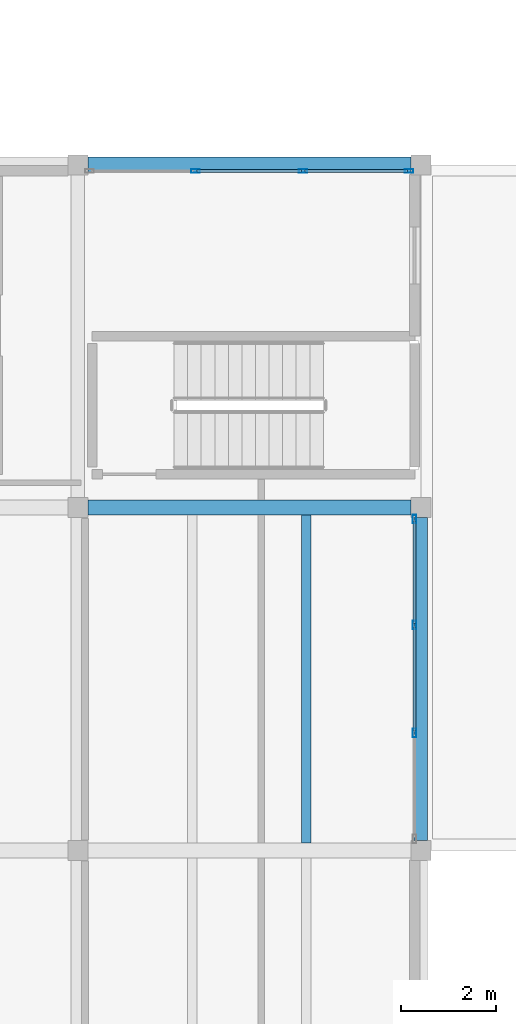
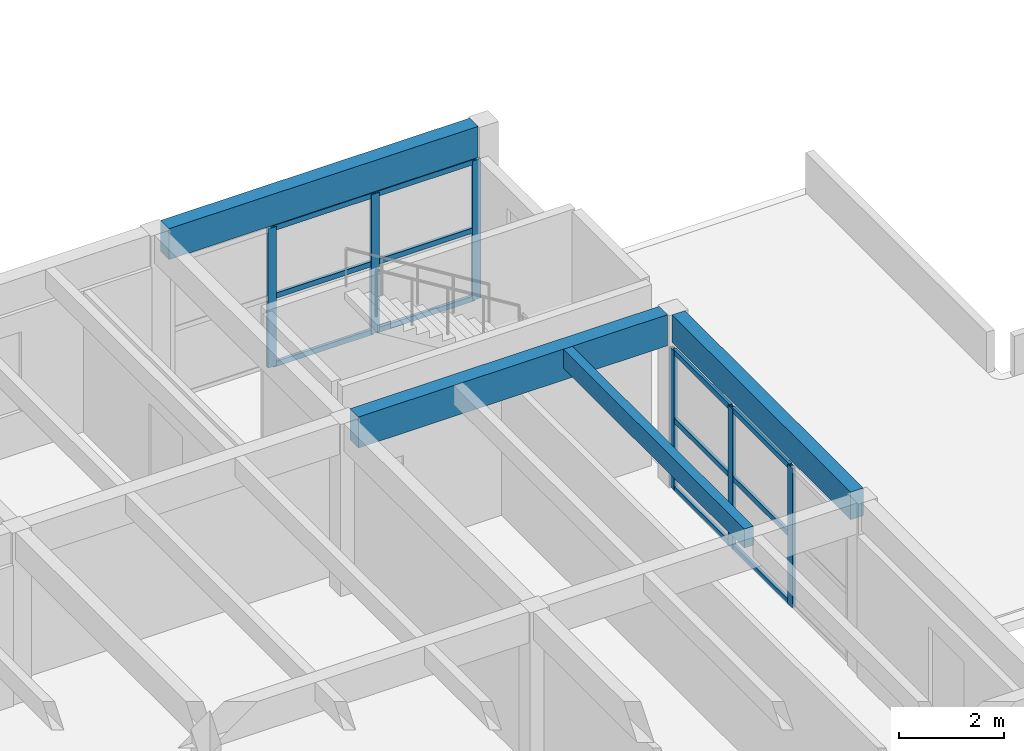
# One storey, part 16 of 68: 18 members, 4 beams, 2 elements without a shape of their own.
"""IFC4 building model written with IfcOpenShell, lengths in metres."""

from ifc_helpers import new_model, si_unit, direction, frame, origin, origin_2d, place, context, subcontext, project, spatial, rectangle, hollow_rectangle, extrude, material, material_profile, profile_set, type_object, element, aggregate, save


model = new_model("IFC4")

# Units and contexts
model_context = context("Model", 3, precision=1e-05, world=origin(), true_north=direction((0.0, 1.0)))
body_context = subcontext(model_context, "Body", "Model", "MODEL_VIEW")
ifc_project = project(units=[si_unit("LENGTHUNIT", "METRE"), si_unit("AREAUNIT", "SQUARE_METRE"), si_unit("VOLUMEUNIT", "CUBIC_METRE"), si_unit("PLANEANGLEUNIT", "RADIAN"), si_unit("MASSUNIT", "GRAM", prefix="KILO")], contexts=[model_context])

# Site, building, storey
site_placement = place(None, origin())
site = spatial("IfcSite", under=ifc_project, at=site_placement, CompositionType="ELEMENT")
building_placement = place(site_placement, origin())
building = spatial("IfcBuilding", under=site, at=building_placement, Name="Bramvelor Terrace Health Centre", CompositionType="ELEMENT")
storey_placement = place(building_placement, frame((0.0, 0.0, 9.300048828125)))
storey = spatial("IfcBuildingStorey", under=building, at=storey_placement, Name="L03", CompositionType="ELEMENT", Elevation=9.300048828125)

# Beams
ifc_material_1 = material(Name="Glulam GL28h", Category="wood")
ifc_material_profile_1 = material_profile(ifc_material_1, rectangle(XDim=0.280029296875, YDim=0.639892578125, at=origin_2d()), Name="GL 280x640")
ifc_profile_set_1 = profile_set([ifc_material_profile_1], Name="Glulam GL28h")
beam_type_1 = type_object("IfcBeamType", Name="BM-GL-G640", PredefinedType="BEAM", material=ifc_profile_set_1)
beam_1_placement = place(storey_placement, frame((21.60009765625, 50.610107421875, 3.669921875), z_axis=(0.0, 1.0, 0.0), x_axis=(-1.0, 0.0, 0.0)))
element("IfcBeam", 1, at=beam_1_placement, inside=storey, type_object=beam_type_1, Name="L03 Floor Girder", PredefinedType="BEAM", context=body_context, shape_type="SweptSolid", body=[
    extrude(rectangle(XDim=0.280029296875, YDim=0.639892578125, at=origin_2d()), origin(), (0.0, 0.0, 1.0), 6.77978515625),
])
ifc_material_2 = material(Name="Glulam GL28h", Category="wood")
ifc_material_profile_2 = material_profile(ifc_material_2, rectangle(XDim=0.320068359375, YDim=0.719970703125, at=origin_2d()), Name="GL 320x720")
ifc_profile_set_2 = profile_set([ifc_material_profile_2], Name="Glulam GL28h")
beam_type_2 = type_object("IfcBeamType", Name="BM-GL-G720", PredefinedType="BEAM", material=ifc_profile_set_2)
for number, where, z_axis, x_axis, name in (
    (2, (14.610107421875, 57.60009765625, 3.6298828125), (1.0, 0.0, 0.0), (0.0, 1.0, 0.0), "L03 Floor Girder"),
    (3, (14.610107421875, 64.800048828125, 3.6298828125), (1.0, 0.0, 0.0), (0.0, 1.0, 0.0), "L03 Floor Girder"),
):
    element("IfcBeam", number, at=place(storey_placement, frame(where, z_axis=z_axis, x_axis=x_axis)), inside=storey, type_object=beam_type_2, Name=name, PredefinedType="BEAM", context=body_context, shape_type="SweptSolid", body=[
        extrude(rectangle(XDim=0.320068359375, YDim=0.719970703125, at=origin_2d()), origin(), (0.0, 0.0, 1.0), 6.77978515625),
    ])
ifc_material_3 = material(Name="Glulam GL28h", Category="wood")
ifc_material_profile_3 = material_profile(ifc_material_3, rectangle(XDim=0.199951171875, YDim=0.43994140625, at=origin_2d()), Name="GL 200x440")
ifc_profile_set_3 = profile_set([ifc_material_profile_3], Name="Glulam GL28h")
beam_type_3 = type_object("IfcBeamType", Name="BM-GL-J440", PredefinedType="JOIST", material=ifc_profile_set_3)
beam_2_placement = place(storey_placement, frame((19.199951171875, 50.56005859375, 3.77001953125), z_axis=(0.0, 1.0, 0.0), x_axis=(-1.0, 0.0, 0.0)))
element("IfcBeam", 4, at=beam_2_placement, inside=storey, type_object=beam_type_3, Name="L03 Secondary Floor Joist", PredefinedType="JOIST", context=body_context, shape_type="SweptSolid", body=[
    extrude(rectangle(XDim=0.199951171875, YDim=0.43994140625, at=origin_2d()), origin(), (0.0, 0.0, 1.0), 6.8798828125),
])

# Curtain wall, members
ifc_material_4 = material(Name="Anodized aluminium and double low-E glass", Category="aluminium")
curtain_wall_type = type_object("IfcCurtainWallType", Name="CW-SYS-27", PredefinedType="NOTDEFINED", material=ifc_material_4)
curtain_wall_1_placement = place(storey_placement, origin())
curtain_wall_1 = element("IfcCurtainWall", 5, at=curtain_wall_1_placement, inside=storey, type_object=curtain_wall_type, Name="L03 Unitized Curtain Wall 153", PredefinedType="NOTDEFINED")
ifc_material_5 = material(Name="Anodized aluminium 6063-T6", Category="aluminium")
ifc_material_profile_4 = material_profile(ifc_material_5, hollow_rectangle(XDim=0.074951171875, YDim=0.179931640625, WallThickness=0.00341796875, at=origin_2d()), Name="ALU-MUL 75x180x3.5")
ifc_profile_set_4 = profile_set([ifc_material_profile_4], Name="Anodized aluminium 6063-T6")
member_type_1 = type_object("IfcMemberType", Name="CW-MUL-65x180", PredefinedType="MULLION", material=ifc_profile_set_4)
member_1_placement = place(storey_placement, frame((16.868408203125, 64.669921875, 0.0), z_axis=(0.0, 0.0, 1.0), x_axis=(0.0, 1.0, 0.0)))
member_1 = element("IfcMember", 6, at=member_1_placement, type_object=member_type_1, Name="CW-27 mullion 2", PredefinedType="MULLION", context=body_context, shape_type="SweptSolid", body=[
    extrude(hollow_rectangle(XDim=0.074951171875, YDim=0.179931640625, WallThickness=0.00341796875, at=origin_2d()), origin(), (0.0, 0.0, 1.0), 3.22998046875),
])
member_2_placement = place(storey_placement, frame((19.131591796875, 64.669921875, 0.0), z_axis=(0.0, 0.0, 1.0), x_axis=(0.0, 1.0, 0.0)))
member_2 = element("IfcMember", 7, at=member_2_placement, type_object=member_type_1, Name="CW-27 mullion 3", PredefinedType="MULLION", context=body_context, shape_type="SweptSolid", body=[
    extrude(hollow_rectangle(XDim=0.074951171875, YDim=0.179931640625, WallThickness=0.00341796875, at=origin_2d()), origin(), (0.0, 0.0, 1.0), 3.22998046875),
])
member_3_placement = place(storey_placement, frame((21.357421875, 64.669921875, 0.0), z_axis=(0.0, 0.0, 1.0), x_axis=(0.0, 1.0, 0.0)))
member_3 = element("IfcMember", 8, at=member_3_placement, type_object=member_type_1, Name="CW-27 mullion 4", PredefinedType="MULLION", context=body_context, shape_type="SweptSolid", body=[
    extrude(hollow_rectangle(XDim=0.074951171875, YDim=0.179931640625, WallThickness=0.00341796875, at=origin_2d()), origin(), (0.0, 0.0, 1.0), 3.22998046875),
])

curtain_wall_2_placement = place(storey_placement, origin())
curtain_wall_2 = element("IfcCurtainWall", 9, at=curtain_wall_2_placement, inside=storey, type_object=curtain_wall_type, Name="L03 Unitized Curtain Wall 154", PredefinedType="NOTDEFINED")
member_4_placement = place(storey_placement, frame((21.469970703125, 57.357421875, 0.0), z_axis=(0.0, 0.0, 1.0), x_axis=(1.0, 0.0, 0.0)))
member_4 = element("IfcMember", 10, at=member_4_placement, type_object=member_type_1, Name="CW-27 mullion 1", PredefinedType="MULLION", context=body_context, shape_type="SweptSolid", body=[
    extrude(hollow_rectangle(XDim=0.074951171875, YDim=0.179931640625, WallThickness=0.00341796875, at=origin_2d()), origin(), (0.0, 0.0, 1.0), 3.22998046875),
])
member_5_placement = place(storey_placement, frame((21.469970703125, 55.131591796875, 0.0), z_axis=(0.0, 0.0, 1.0), x_axis=(1.0, 0.0, 0.0)))
member_5 = element("IfcMember", 11, at=member_5_placement, type_object=member_type_1, Name="CW-27 mullion 2", PredefinedType="MULLION", context=body_context, shape_type="SweptSolid", body=[
    extrude(hollow_rectangle(XDim=0.074951171875, YDim=0.179931640625, WallThickness=0.00341796875, at=origin_2d()), origin(), (0.0, 0.0, 1.0), 3.22998046875),
])
member_6_placement = place(storey_placement, frame((21.469970703125, 52.868408203125, 0.0), z_axis=(0.0, 0.0, 1.0), x_axis=(1.0, 0.0, 0.0)))
member_6 = element("IfcMember", 12, at=member_6_placement, type_object=member_type_1, Name="CW-27 mullion 3", PredefinedType="MULLION", context=body_context, shape_type="SweptSolid", body=[
    extrude(hollow_rectangle(XDim=0.074951171875, YDim=0.179931640625, WallThickness=0.00341796875, at=origin_2d()), origin(), (0.0, 0.0, 1.0), 3.22998046875),
])

# Member
ifc_material_6 = material(Name="Anodized aluminium 6063-T6", Category="aluminium")
ifc_material_profile_5 = material_profile(ifc_material_6, hollow_rectangle(XDim=0.06494140625, YDim=0.1201171875, WallThickness=0.0029296875, at=origin_2d()), Name="ALU-TRN 65x120x3.0")
ifc_profile_set_5 = profile_set([ifc_material_profile_5], Name="Anodized aluminium 6063-T6")
member_type_2 = type_object("IfcMemberType", Name="CW-TRN-65x150", PredefinedType="USERDEFINED", material=ifc_profile_set_5)
member_7_placement = place(storey_placement, frame((16.90576171875, 64.669921875, 0.032470703125), z_axis=(1.0, 0.0, 0.0), x_axis=(0.0, 1.0, 0.0)))
member_7 = element("IfcMember", 13, at=member_7_placement, type_object=member_type_2, Name="CW-27 transom 2.1", ObjectType="TRANSOM", PredefinedType="USERDEFINED", context=body_context, shape_type="SweptSolid", body=[
    extrude(hollow_rectangle(XDim=0.06494140625, YDim=0.1201171875, WallThickness=0.0029296875, at=origin_2d()), origin(), (0.0, 0.0, 1.0), 2.1884765625),
])

member_8_placement = place(storey_placement, frame((16.90576171875, 64.669921875, 1.614990234375), z_axis=(1.0, 0.0, 0.0), x_axis=(0.0, 1.0, 0.0)))
member_8 = element("IfcMember", 14, at=member_8_placement, type_object=member_type_2, Name="CW-27 transom 2.2", ObjectType="TRANSOM", PredefinedType="USERDEFINED", context=body_context, shape_type="SweptSolid", body=[
    extrude(hollow_rectangle(XDim=0.06494140625, YDim=0.1201171875, WallThickness=0.0029296875, at=origin_2d()), origin(), (0.0, 0.0, 1.0), 2.1884765625),
])

member_9_placement = place(storey_placement, frame((16.90576171875, 64.669921875, 3.197509765625), z_axis=(1.0, 0.0, 0.0), x_axis=(0.0, 1.0, 0.0)))
member_9 = element("IfcMember", 15, at=member_9_placement, type_object=member_type_2, Name="CW-27 transom 2.3", ObjectType="TRANSOM", PredefinedType="USERDEFINED", context=body_context, shape_type="SweptSolid", body=[
    extrude(hollow_rectangle(XDim=0.06494140625, YDim=0.1201171875, WallThickness=0.0029296875, at=origin_2d()), origin(), (0.0, 0.0, 1.0), 2.1884765625),
])

member_10_placement = place(storey_placement, frame((19.169189453125, 64.669921875, 0.032470703125), z_axis=(1.0, 0.0, 0.0), x_axis=(0.0, 1.0, 0.0)))
member_10 = element("IfcMember", 16, at=member_10_placement, type_object=member_type_2, Name="CW-27 transom 3.1", ObjectType="TRANSOM", PredefinedType="USERDEFINED", context=body_context, shape_type="SweptSolid", body=[
    extrude(hollow_rectangle(XDim=0.06494140625, YDim=0.1201171875, WallThickness=0.0029296875, at=origin_2d()), origin(), (0.0, 0.0, 1.0), 2.15087890625),
])

member_11_placement = place(storey_placement, frame((19.169189453125, 64.669921875, 1.614990234375), z_axis=(1.0, 0.0, 0.0), x_axis=(0.0, 1.0, 0.0)))
member_11 = element("IfcMember", 17, at=member_11_placement, type_object=member_type_2, Name="CW-27 transom 3.2", ObjectType="TRANSOM", PredefinedType="USERDEFINED", context=body_context, shape_type="SweptSolid", body=[
    extrude(hollow_rectangle(XDim=0.06494140625, YDim=0.1201171875, WallThickness=0.0029296875, at=origin_2d()), origin(), (0.0, 0.0, 1.0), 2.15087890625),
])

member_12_placement = place(storey_placement, frame((19.169189453125, 64.669921875, 3.197509765625), z_axis=(1.0, 0.0, 0.0), x_axis=(0.0, 1.0, 0.0)))
member_12 = element("IfcMember", 18, at=member_12_placement, type_object=member_type_2, Name="CW-27 transom 3.3", ObjectType="TRANSOM", PredefinedType="USERDEFINED", context=body_context, shape_type="SweptSolid", body=[
    extrude(hollow_rectangle(XDim=0.06494140625, YDim=0.1201171875, WallThickness=0.0029296875, at=origin_2d()), origin(), (0.0, 0.0, 1.0), 2.15087890625),
])

aggregate(curtain_wall_1, [member_1, member_2, member_3, member_7, member_8, member_9, member_10, member_11, member_12])

member_13_placement = place(storey_placement, frame((21.469970703125, 57.320068359375, 0.032470703125), z_axis=(0.0, -1.0, 0.0), x_axis=(1.0, 0.0, 0.0)))
member_13 = element("IfcMember", 19, at=member_13_placement, type_object=member_type_2, Name="CW-27 transom 1.1", ObjectType="TRANSOM", PredefinedType="USERDEFINED", context=body_context, shape_type="SweptSolid", body=[
    extrude(hollow_rectangle(XDim=0.06494140625, YDim=0.1201171875, WallThickness=0.0029296875, at=origin_2d()), origin(), (0.0, 0.0, 1.0), 2.15087890625),
])

member_14_placement = place(storey_placement, frame((21.469970703125, 57.320068359375, 1.614990234375), z_axis=(0.0, -1.0, 0.0), x_axis=(1.0, 0.0, 0.0)))
member_14 = element("IfcMember", 20, at=member_14_placement, type_object=member_type_2, Name="CW-27 transom 1.2", ObjectType="TRANSOM", PredefinedType="USERDEFINED", context=body_context, shape_type="SweptSolid", body=[
    extrude(hollow_rectangle(XDim=0.06494140625, YDim=0.1201171875, WallThickness=0.0029296875, at=origin_2d()), origin(), (0.0, 0.0, 1.0), 2.15087890625),
])

member_15_placement = place(storey_placement, frame((21.469970703125, 57.320068359375, 3.197509765625), z_axis=(0.0, -1.0, 0.0), x_axis=(1.0, 0.0, 0.0)))
member_15 = element("IfcMember", 21, at=member_15_placement, type_object=member_type_2, Name="CW-27 transom 1.3", ObjectType="TRANSOM", PredefinedType="USERDEFINED", context=body_context, shape_type="SweptSolid", body=[
    extrude(hollow_rectangle(XDim=0.06494140625, YDim=0.1201171875, WallThickness=0.0029296875, at=origin_2d()), origin(), (0.0, 0.0, 1.0), 2.15087890625),
])

member_16_placement = place(storey_placement, frame((21.469970703125, 55.09423828125, 0.032470703125), z_axis=(0.0, -1.0, 0.0), x_axis=(1.0, 0.0, 0.0)))
member_16 = element("IfcMember", 22, at=member_16_placement, type_object=member_type_2, Name="CW-27 transom 2.1", ObjectType="TRANSOM", PredefinedType="USERDEFINED", context=body_context, shape_type="SweptSolid", body=[
    extrude(hollow_rectangle(XDim=0.06494140625, YDim=0.1201171875, WallThickness=0.0029296875, at=origin_2d()), origin(), (0.0, 0.0, 1.0), 2.1884765625),
])

member_17_placement = place(storey_placement, frame((21.469970703125, 55.09423828125, 1.614990234375), z_axis=(0.0, -1.0, 0.0), x_axis=(1.0, 0.0, 0.0)))
member_17 = element("IfcMember", 23, at=member_17_placement, type_object=member_type_2, Name="CW-27 transom 2.2", ObjectType="TRANSOM", PredefinedType="USERDEFINED", context=body_context, shape_type="SweptSolid", body=[
    extrude(hollow_rectangle(XDim=0.06494140625, YDim=0.1201171875, WallThickness=0.0029296875, at=origin_2d()), origin(), (0.0, 0.0, 1.0), 2.1884765625),
])

member_18_placement = place(storey_placement, frame((21.469970703125, 55.09423828125, 3.197509765625), z_axis=(0.0, -1.0, 0.0), x_axis=(1.0, 0.0, 0.0)))
member_18 = element("IfcMember", 24, at=member_18_placement, type_object=member_type_2, Name="CW-27 transom 2.3", ObjectType="TRANSOM", PredefinedType="USERDEFINED", context=body_context, shape_type="SweptSolid", body=[
    extrude(hollow_rectangle(XDim=0.06494140625, YDim=0.1201171875, WallThickness=0.0029296875, at=origin_2d()), origin(), (0.0, 0.0, 1.0), 2.1884765625),
])

aggregate(curtain_wall_2, [member_4, member_5, member_6, member_13, member_14, member_15, member_16, member_17, member_18])

save(model, "model.ifc")
